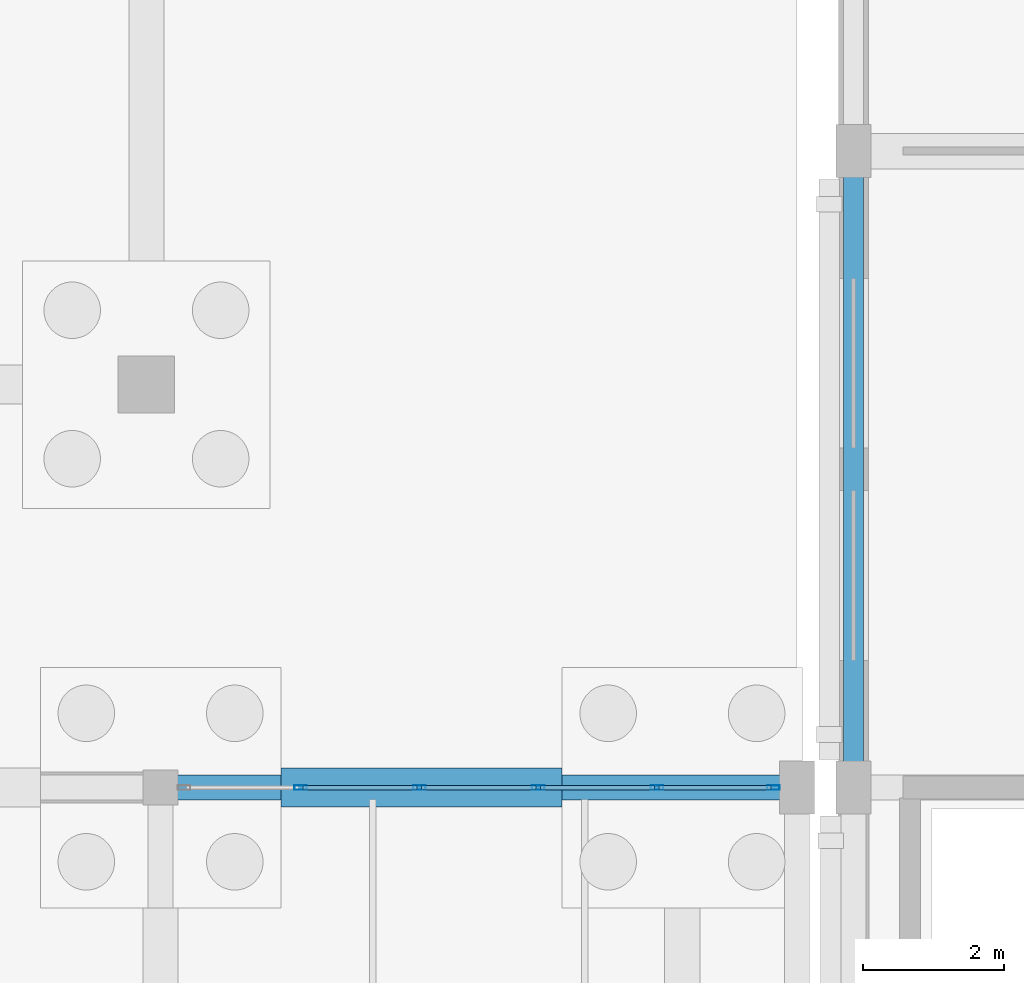
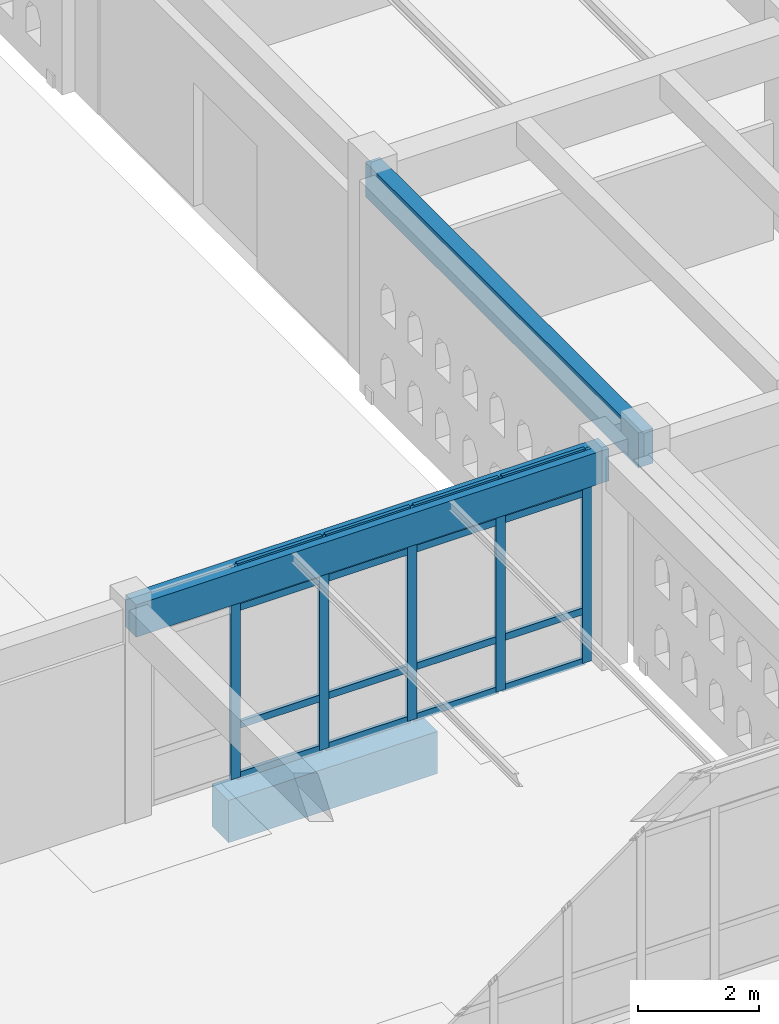
# One storey, part 35 of 186: 21 members, 3 beams, 1 element without a shape of its own.
"""IFC4 building model written with IfcOpenShell, lengths in metres."""

import ifcopenshell
import ifcopenshell.guid

model = None  # the IFC model being written
_history = None  # IfcOwnerHistory: only IFC2X3 demands one
_inside = {}  # id of a spatial element -> (the spatial element, [elements in it])
_under = {}  # id of a project, library or spatial element -> (it, [spatial elements below it])
_declared = {}  # id of a project -> (the project, [libraries it declares])
_typed = {}  # id of a type object -> (the type object, [elements of that type])
_made_of = {}  # id of a material, layer set ... -> (it, [elements and type objects made of it])


def new_model(schema):
    """Start an empty IFC model of exactly this schema.

    Asked for "IFC4X3", IfcOpenShell would pick the latest addendum, in which some entities
    have other attributes; the version numbers below select the first issue.
    IFC2X3 requires an IfcOwnerHistory on every rooted entity: one is made here for all.
    """
    global model, _history
    if schema == "IFC4X3":
        model = ifcopenshell.file(schema_version=(4, 3, 0, 0))
    else:
        model = ifcopenshell.file(schema=schema)
    _inside.clear()
    _under.clear()
    _declared.clear()
    _typed.clear()
    _made_of.clear()
    _history = None
    if model.schema == "IFC2X3":
        org = make("IfcOrganization", Name="unknown")
        user = make(
            "IfcPersonAndOrganization",
            ThePerson=make("IfcPerson", FamilyName="unknown"),
            TheOrganization=org,
        )
        app = make(
            "IfcApplication",
            ApplicationDeveloper=org,
            Version="unknown",
            ApplicationFullName="unknown",
            ApplicationIdentifier="unknown",
        )
        _history = make(
            "IfcOwnerHistory",
            OwningUser=user,
            OwningApplication=app,
            ChangeAction="ADDED",
            CreationDate=0,
        )
    return model


def make(cls, **values):
    """One entity of the class cls with the attributes given. An attribute that is None is left unset."""
    return model.create_entity(
        cls, **{name: value for name, value in values.items() if value is not None}
    )


def rooted(cls, **values):
    """An entity with a GlobalId (a new one), such as an element, a storey or a relation."""
    return make(cls, GlobalId=ifcopenshell.guid.new(), OwnerHistory=_history, **values)


def si_unit(unit_type, name, prefix=None):
    """IfcSIUnit, for example si_unit("LENGTHUNIT", "METRE", prefix="MILLI")."""
    return make("IfcSIUnit", UnitType=unit_type, Prefix=prefix, Name=name)


def assignment(units):
    """IfcUnitAssignment: the units of a project."""
    return None if units is None else make("IfcUnitAssignment", Units=units)


def point(xyz):
    """IfcCartesianPoint."""
    return None if xyz is None else make("IfcCartesianPoint", Coordinates=xyz)


def direction(xyz):
    """IfcDirection."""
    return None if xyz is None else make("IfcDirection", DirectionRatios=xyz)


def frame(location, z_axis=None, x_axis=None):
    """IfcAxis2Placement3D, a coordinate frame: its origin and axes. An axis left out is left unset."""
    return make(
        "IfcAxis2Placement3D",
        Location=point(location),
        Axis=direction(z_axis),
        RefDirection=direction(x_axis),
    )


def frame_2d(location, x_axis=None):
    """IfcAxis2Placement2D, a coordinate frame in the plane: its origin and x axis."""
    return make(
        "IfcAxis2Placement2D", Location=point(location), RefDirection=direction(x_axis)
    )


def origin():
    """The frame at (0, 0, 0) with its axes left unset."""
    return frame((0.0, 0.0, 0.0))


def origin_2d():
    """The frame at (0, 0) in the plane with its x axis left unset."""
    return frame_2d((0.0, 0.0))


def place(relative_to, where):
    """IfcLocalPlacement: puts the frame where relative to a parent placement (None: the world)."""
    return make(
        "IfcLocalPlacement", PlacementRelTo=relative_to, RelativePlacement=where
    )


def context(
    kind, dimensions, precision=None, world=None, true_north=None, identifier=None
):
    """IfcGeometricRepresentationContext, for example the 3D "Model" context."""
    return make(
        "IfcGeometricRepresentationContext",
        ContextIdentifier=identifier,
        ContextType=kind,
        CoordinateSpaceDimension=dimensions,
        Precision=precision,
        WorldCoordinateSystem=world,
        TrueNorth=true_north,
    )


def subcontext(parent, identifier, kind, view, scale=None):
    """IfcGeometricRepresentationSubContext, for example "Body" below "Model"."""
    return make(
        "IfcGeometricRepresentationSubContext",
        ContextIdentifier=identifier,
        ContextType=kind,
        ParentContext=parent,
        TargetScale=scale,
        TargetView=view,
    )


def project(units=None, contexts=None):
    """IfcProject with its units and contexts."""
    return rooted(
        "IfcProject",
        Name="project",
        RepresentationContexts=contexts,
        UnitsInContext=assignment(units),
    )


def spatial(cls, under=None, at=None, **own):
    """A site, building, storey or space (cls), placed at a placement, below another one or the project."""
    s = rooted(cls, ObjectPlacement=at, **own)
    if under is not None:
        _under.setdefault(under.id(), (under, []))[1].append(s)
    return s


def profile(cls, at=None, kind="AREA", **sizes):
    """A parametric profile (cls). Its sizes go by their IFC names, for example OverallWidth=200.0."""
    return make(cls, ProfileType=kind, Position=at, **sizes)


def rectangle(**sizes):
    """IfcRectangleProfileDef."""
    return profile("IfcRectangleProfileDef", **sizes)


def hollow_rectangle(**sizes):
    """IfcRectangleHollowProfileDef."""
    return profile("IfcRectangleHollowProfileDef", **sizes)


def extrude(swept, where, along, depth):
    """IfcExtrudedAreaSolid: the profile swept, set in the frame where, extruded along a direction by depth."""
    return make(
        "IfcExtrudedAreaSolid",
        SweptArea=swept,
        Position=where,
        ExtrudedDirection=direction(along),
        Depth=depth,
    )


def shape(context_of_items, identifier, shape_type, items):
    """IfcShapeRepresentation: the items that make up one representation, for example the "Body"."""
    return make(
        "IfcShapeRepresentation",
        ContextOfItems=context_of_items,
        RepresentationIdentifier=identifier,
        RepresentationType=shape_type,
        Items=items,
    )


def material(Name=None, Category=None):
    """IfcMaterial."""
    return make("IfcMaterial", Name=Name, Category=Category)


def layer(
    of_material, thickness, ventilated=None, Name=None, Category=None, Priority=None
):
    """IfcMaterialLayer: one layer of a wall or slab, of a material (None: an air gap)."""
    return make(
        "IfcMaterialLayer",
        Material=of_material,
        LayerThickness=thickness,
        IsVentilated=ventilated,
        Name=Name,
        Category=Category,
        Priority=Priority,
    )


def layer_set(layers, Name=None):
    """IfcMaterialLayerSet."""
    return make("IfcMaterialLayerSet", MaterialLayers=layers, LayerSetName=Name)


def material_profile(
    of_material, cross_section, Name=None, Category=None, Priority=None
):
    """IfcMaterialProfile: a cross section and its material."""
    return make(
        "IfcMaterialProfile",
        Name=Name,
        Material=of_material,
        Profile=cross_section,
        Priority=Priority,
        Category=Category,
    )


def profile_set(profiles, Name=None, composite=None):
    """IfcMaterialProfileSet."""
    return make(
        "IfcMaterialProfileSet",
        Name=Name,
        MaterialProfiles=profiles,
        CompositeProfile=composite,
    )


def made_of(thing, what):
    """Note that an element or type object is made of a material, layer set ...; save() writes the relation."""
    if what is not None:
        _made_of.setdefault(what.id(), (what, []))[1].append(thing)
    return thing


def type_object(cls, material=None, **own):
    """A type object (cls), such as IfcWallType, which elements share."""
    return made_of(rooted(cls, **own), material)


def element(
    cls,
    number,
    at=None,
    inside=None,
    cuts=None,
    type_object=None,
    material=None,
    context=None,
    identifier="Body",
    shape_type=None,
    held_by="IfcProductDefinitionShape",
    body=None,
    shapes=None,
    **own,
):
    """One element of the class cls, such as IfcWall. Its Tag is "e" and its number.

    at: its placement. inside: the storey or other place that contains it. cuts: it is an
    opening in that element (IfcRelVoidsElement). A single representation is given by context,
    identifier, shape_type and body (its items); several are given by shapes. held_by: the class
    of the entity that holds the representations. save() writes the other relations.
    """
    e = rooted(cls, Tag="e%d" % number, ObjectPlacement=at, **own)
    if body is not None:
        shapes = [shape(context, identifier, shape_type, body)]
    if shapes is not None:
        e.Representation = make(held_by, Representations=shapes)
    if inside is not None:
        _inside.setdefault(inside.id(), (inside, []))[1].append(e)
    if cuts is not None:
        rooted(
            "IfcRelVoidsElement", RelatingBuildingElement=cuts, RelatedOpeningElement=e
        )
    if type_object is not None:
        _typed.setdefault(type_object.id(), (type_object, []))[1].append(e)
    return made_of(e, material)


def aggregate(whole, parts):
    """IfcRelAggregates: a whole, such as a stair, and the parts it consists of."""
    return rooted("IfcRelAggregates", RelatingObject=whole, RelatedObjects=parts)


def save(model, path):
    """Write the relations noted so far, then the file.

    IfcRelAggregates (storeys below a building ...), IfcRelContainedInSpatialStructure (elements
    in a storey), IfcRelDefinesByType, IfcRelAssociatesMaterial and IfcRelDeclares: one each for
    every whole, place, type object, material and project.
    """
    for whole, parts in _under.values():
        aggregate(whole, parts)
    for where, things in _inside.values():
        rooted(
            "IfcRelContainedInSpatialStructure",
            RelatedElements=things,
            RelatingStructure=where,
        )
    for kind, things in _typed.values():
        rooted("IfcRelDefinesByType", RelatedObjects=things, RelatingType=kind)
    for what, things in _made_of.values():
        rooted("IfcRelAssociatesMaterial", RelatedObjects=things, RelatingMaterial=what)
    for by, libraries in _declared.values():
        rooted("IfcRelDeclares", RelatingContext=by, RelatedDefinitions=libraries)
    model.write(path)


model = new_model("IFC4")

# Units and contexts
model_context = context("Model", 3, precision=1e-05, world=origin(), true_north=direction((0.0, 1.0)))
body_context = subcontext(model_context, "Body", "Model", "MODEL_VIEW")
ifc_project = project(units=[si_unit("LENGTHUNIT", "METRE"), si_unit("AREAUNIT", "SQUARE_METRE"), si_unit("VOLUMEUNIT", "CUBIC_METRE"), si_unit("PLANEANGLEUNIT", "RADIAN"), si_unit("MASSUNIT", "GRAM", prefix="KILO")], contexts=[model_context])

# Site, building, storey
site_placement = place(None, origin())
site = spatial("IfcSite", under=ifc_project, at=site_placement, CompositionType="ELEMENT")
building_placement = place(site_placement, origin())
building = spatial("IfcBuilding", under=site, at=building_placement, Name="Ornek Quay Market", CompositionType="ELEMENT")
storey_placement = place(building_placement, origin())
storey = spatial("IfcBuildingStorey", under=building, at=storey_placement, Name="L00", CompositionType="ELEMENT", Elevation=0.0)

# Beams
ifc_material_1 = material(Name="Concrete C35/45", Category="concrete")
ifc_material_profile_1 = material_profile(ifc_material_1, rectangle(XDim=0.35009765625, YDim=0.64990234375, at=origin_2d()), Name="RC 350x650", Category="concrete")
ifc_profile_set_1 = profile_set([ifc_material_profile_1], Name="Concrete C35/45")
beam_type_1 = type_object("IfcBeamType", Name="BM-CONC-350x650", PredefinedType="BEAM", material=ifc_profile_set_1)
beam_1_placement = place(storey_placement, frame((45.0, 29.0, 3.945068359375), z_axis=(1.0, 0.0, 0.0), x_axis=(0.0, 1.0, 0.0)))
element("IfcBeam", 1, at=beam_1_placement, inside=storey, type_object=beam_type_1, Name="Primary beam B-CN1-069", PredefinedType="BEAM", context=body_context, shape_type="SweptSolid", body=[
    extrude(rectangle(XDim=0.35009765625, YDim=0.64990234375, at=origin_2d()), origin(), (0.0, 0.0, 1.0), 9.0),
])
ifc_material_profile_2 = material_profile(ifc_material_1, rectangle(XDim=0.550048828125, YDim=0.85009765625, at=origin_2d()), Name="RC 550x850", Category="concrete")
ifc_profile_set_2 = profile_set([ifc_material_profile_2], Name="Concrete C35/45")
beam_type_2 = type_object("IfcBeamType", Name="BM-GB-550x850", PredefinedType="BEAM", material=ifc_profile_set_2)
beam_2_placement = place(storey_placement, frame((46.699951171875, 29.0, -0.625), z_axis=(1.0, 0.0, 0.0), x_axis=(0.0, 1.0, 0.0)))
element("IfcBeam", 2, at=beam_2_placement, inside=storey, type_object=beam_type_2, Name="Ground tie beam GB-008", PredefinedType="BEAM", context=body_context, shape_type="SweptSolid", body=[
    extrude(rectangle(XDim=0.550048828125, YDim=0.85009765625, at=origin_2d()), origin(), (0.0, 0.0, 1.0), 3.97998046875),
])
ifc_material_profile_3 = material_profile(ifc_material_1, rectangle(XDim=0.280029296875, YDim=0.699951171875, at=origin_2d()), Name="RC 280x700", Category="concrete")
ifc_profile_set_3 = profile_set([ifc_material_profile_3], Name="Concrete C35/45")
beam_type_3 = type_object("IfcBeamType", Name="BM-SPN-280x700", PredefinedType="SPANDREL", material=ifc_profile_set_3)
beam_3_placement = place(storey_placement, frame((54.800048828125, 29.0, 3.889892578125), z_axis=(0.0, 1.0, 0.0), x_axis=(-1.0, 0.0, 0.0)))
element("IfcBeam", 3, at=beam_3_placement, inside=storey, type_object=beam_type_3, Name="Primary beam B-SP2-019", PredefinedType="SPANDREL", context=body_context, shape_type="SweptSolid", body=[
    extrude(rectangle(XDim=0.280029296875, YDim=0.699951171875, at=origin_2d()), origin(), (0.0, 0.0, 1.0), 9.0),
])

# Curtain wall, members
ifc_material_2 = material(Name="Anodised bronze aluminium and triple low-e glass", Category="aluminium")
ifc_layer = layer(ifc_material_2, 0.199951171875, Name="Anodised bronze aluminium and triple low-e glass", Category="aluminium")
ifc_layer_set = layer_set([ifc_layer], Name="Anodised bronze aluminium and triple low-e glass")
curtain_wall_type = type_object("IfcCurtainWallType", Name="CW-CONC-MOD1800", PredefinedType="USERDEFINED", material=ifc_layer_set)
curtain_wall_placement = place(storey_placement, origin())
curtain_wall = element("IfcCurtainWall", 4, at=curtain_wall_placement, inside=storey, type_object=curtain_wall_type, Name="Curtain wall CW-011", ObjectType="CURTAIN WALL", PredefinedType="USERDEFINED")
ifc_material_3 = material(Name="Anodised aluminium 6063-T6", Category="aluminium")
ifc_material_profile_4 = material_profile(ifc_material_3, hollow_rectangle(XDim=0.06494140625, YDim=0.179931640625, WallThickness=0.00439453125, at=origin_2d()), Name="CW-MUL-65x180", Category="aluminium")
ifc_profile_set_4 = profile_set([ifc_material_profile_4], Name="Anodised aluminium 6063-T6")
member_type_1 = type_object("IfcMemberType", Name="CW-MUL-65x180", PredefinedType="MULLION", material=ifc_profile_set_4)
member_1_placement = place(storey_placement, frame((46.97998046875, 29.0, 0.0), z_axis=(0.0, 0.0, 1.0), x_axis=(0.0, 1.0, 0.0)))
member_1 = element("IfcMember", 5, at=member_1_placement, type_object=member_type_1, Name="CW-011 mullion 2", PredefinedType="MULLION", context=body_context, shape_type="SweptSolid", body=[
    extrude(hollow_rectangle(XDim=0.06494140625, YDim=0.179931640625, WallThickness=0.00439453125, at=origin_2d()), origin(), (0.0, 0.0, 1.0), 4.27001953125),
])
member_2_placement = place(storey_placement, frame((48.659912109375, 29.0, 0.0), z_axis=(0.0, 0.0, 1.0), x_axis=(0.0, 1.0, 0.0)))
member_2 = element("IfcMember", 6, at=member_2_placement, type_object=member_type_1, Name="CW-011 mullion 3", PredefinedType="MULLION", context=body_context, shape_type="SweptSolid", body=[
    extrude(hollow_rectangle(XDim=0.06494140625, YDim=0.179931640625, WallThickness=0.00439453125, at=origin_2d()), origin(), (0.0, 0.0, 1.0), 4.27001953125),
])
member_3_placement = place(storey_placement, frame((50.340087890625, 29.0, 0.0), z_axis=(0.0, 0.0, 1.0), x_axis=(0.0, 1.0, 0.0)))
member_3 = element("IfcMember", 7, at=member_3_placement, type_object=member_type_1, Name="CW-011 mullion 4", PredefinedType="MULLION", context=body_context, shape_type="SweptSolid", body=[
    extrude(hollow_rectangle(XDim=0.06494140625, YDim=0.179931640625, WallThickness=0.00439453125, at=origin_2d()), origin(), (0.0, 0.0, 1.0), 4.27001953125),
])
member_4_placement = place(storey_placement, frame((52.02001953125, 29.0, 0.0), z_axis=(0.0, 0.0, 1.0), x_axis=(0.0, 1.0, 0.0)))
member_4 = element("IfcMember", 8, at=member_4_placement, type_object=member_type_1, Name="CW-011 mullion 5", PredefinedType="MULLION", context=body_context, shape_type="SweptSolid", body=[
    extrude(hollow_rectangle(XDim=0.06494140625, YDim=0.179931640625, WallThickness=0.00439453125, at=origin_2d()), origin(), (0.0, 0.0, 1.0), 4.27001953125),
])
member_5_placement = place(storey_placement, frame((53.66748046875, 29.0, 0.0), z_axis=(0.0, 0.0, 1.0), x_axis=(0.0, 1.0, 0.0)))
member_5 = element("IfcMember", 9, at=member_5_placement, type_object=member_type_1, Name="CW-011 mullion 6", PredefinedType="MULLION", context=body_context, shape_type="SweptSolid", body=[
    extrude(hollow_rectangle(XDim=0.06494140625, YDim=0.179931640625, WallThickness=0.00439453125, at=origin_2d()), origin(), (0.0, 0.0, 1.0), 4.27001953125),
])
ifc_material_profile_5 = material_profile(ifc_material_3, hollow_rectangle(XDim=0.06494140625, YDim=0.139892578125, WallThickness=0.00439453125, at=origin_2d()), Name="CW-TRN-65x140", Category="aluminium")
ifc_profile_set_5 = profile_set([ifc_material_profile_5], Name="Anodised aluminium 6063-T6")
member_type_2 = type_object("IfcMemberType", Name="CW-TRN-65x140", PredefinedType="USERDEFINED", material=ifc_profile_set_5)
member_6_placement = place(storey_placement, frame((47.012451171875, 29.0, 0.032470703125), z_axis=(1.0, 0.0, 0.0), x_axis=(0.0, 1.0, 0.0)))
member_6 = element("IfcMember", 10, at=member_6_placement, type_object=member_type_2, Name="CW-011 transom 2.1", ObjectType="TRANSOM", PredefinedType="USERDEFINED", context=body_context, shape_type="SweptSolid", body=[
    extrude(hollow_rectangle(XDim=0.06494140625, YDim=0.139892578125, WallThickness=0.00439453125, at=origin_2d()), origin(), (0.0, 0.0, 1.0), 1.614990234375),
])
member_7_placement = place(storey_placement, frame((47.012451171875, 29.0, 1.050048828125), z_axis=(1.0, 0.0, 0.0), x_axis=(0.0, 1.0, 0.0)))
member_7 = element("IfcMember", 11, at=member_7_placement, type_object=member_type_2, Name="CW-011 transom 2.2", ObjectType="TRANSOM", PredefinedType="USERDEFINED", context=body_context, shape_type="SweptSolid", body=[
    extrude(hollow_rectangle(XDim=0.06494140625, YDim=0.139892578125, WallThickness=0.00439453125, at=origin_2d()), origin(), (0.0, 0.0, 1.0), 1.614990234375),
])
member_8_placement = place(storey_placement, frame((47.012451171875, 29.0, 3.419921875), z_axis=(1.0, 0.0, 0.0), x_axis=(0.0, 1.0, 0.0)))
member_8 = element("IfcMember", 12, at=member_8_placement, type_object=member_type_2, Name="CW-011 transom 2.3", ObjectType="TRANSOM", PredefinedType="USERDEFINED", context=body_context, shape_type="SweptSolid", body=[
    extrude(hollow_rectangle(XDim=0.06494140625, YDim=0.139892578125, WallThickness=0.00439453125, at=origin_2d()), origin(), (0.0, 0.0, 1.0), 1.614990234375),
])
member_9_placement = place(storey_placement, frame((47.012451171875, 29.0, 4.237548828125), z_axis=(1.0, 0.0, 0.0), x_axis=(0.0, 1.0, 0.0)))
member_9 = element("IfcMember", 13, at=member_9_placement, type_object=member_type_2, Name="CW-011 transom 2.4", ObjectType="TRANSOM", PredefinedType="USERDEFINED", context=body_context, shape_type="SweptSolid", body=[
    extrude(hollow_rectangle(XDim=0.06494140625, YDim=0.139892578125, WallThickness=0.00439453125, at=origin_2d()), origin(), (0.0, 0.0, 1.0), 1.614990234375),
])
member_10_placement = place(storey_placement, frame((48.6923828125, 29.0, 0.032470703125), z_axis=(1.0, 0.0, 0.0), x_axis=(0.0, 1.0, 0.0)))
member_10 = element("IfcMember", 14, at=member_10_placement, type_object=member_type_2, Name="CW-011 transom 3.1", ObjectType="TRANSOM", PredefinedType="USERDEFINED", context=body_context, shape_type="SweptSolid", body=[
    extrude(hollow_rectangle(XDim=0.06494140625, YDim=0.139892578125, WallThickness=0.00439453125, at=origin_2d()), origin(), (0.0, 0.0, 1.0), 1.615234375),
])
member_11_placement = place(storey_placement, frame((48.6923828125, 29.0, 1.050048828125), z_axis=(1.0, 0.0, 0.0), x_axis=(0.0, 1.0, 0.0)))
member_11 = element("IfcMember", 15, at=member_11_placement, type_object=member_type_2, Name="CW-011 transom 3.2", ObjectType="TRANSOM", PredefinedType="USERDEFINED", context=body_context, shape_type="SweptSolid", body=[
    extrude(hollow_rectangle(XDim=0.06494140625, YDim=0.139892578125, WallThickness=0.00439453125, at=origin_2d()), origin(), (0.0, 0.0, 1.0), 1.615234375),
])
member_12_placement = place(storey_placement, frame((48.6923828125, 29.0, 3.419921875), z_axis=(1.0, 0.0, 0.0), x_axis=(0.0, 1.0, 0.0)))
member_12 = element("IfcMember", 16, at=member_12_placement, type_object=member_type_2, Name="CW-011 transom 3.3", ObjectType="TRANSOM", PredefinedType="USERDEFINED", context=body_context, shape_type="SweptSolid", body=[
    extrude(hollow_rectangle(XDim=0.06494140625, YDim=0.139892578125, WallThickness=0.00439453125, at=origin_2d()), origin(), (0.0, 0.0, 1.0), 1.615234375),
])
member_13_placement = place(storey_placement, frame((48.6923828125, 29.0, 4.237548828125), z_axis=(1.0, 0.0, 0.0), x_axis=(0.0, 1.0, 0.0)))
member_13 = element("IfcMember", 17, at=member_13_placement, type_object=member_type_2, Name="CW-011 transom 3.4", ObjectType="TRANSOM", PredefinedType="USERDEFINED", context=body_context, shape_type="SweptSolid", body=[
    extrude(hollow_rectangle(XDim=0.06494140625, YDim=0.139892578125, WallThickness=0.00439453125, at=origin_2d()), origin(), (0.0, 0.0, 1.0), 1.615234375),
])
member_14_placement = place(storey_placement, frame((50.37255859375, 29.0, 0.032470703125), z_axis=(1.0, 0.0, 0.0), x_axis=(0.0, 1.0, 0.0)))
member_14 = element("IfcMember", 18, at=member_14_placement, type_object=member_type_2, Name="CW-011 transom 4.1", ObjectType="TRANSOM", PredefinedType="USERDEFINED", context=body_context, shape_type="SweptSolid", body=[
    extrude(hollow_rectangle(XDim=0.06494140625, YDim=0.139892578125, WallThickness=0.00439453125, at=origin_2d()), origin(), (0.0, 0.0, 1.0), 1.614990234375),
])
member_15_placement = place(storey_placement, frame((50.37255859375, 29.0, 1.050048828125), z_axis=(1.0, 0.0, 0.0), x_axis=(0.0, 1.0, 0.0)))
member_15 = element("IfcMember", 19, at=member_15_placement, type_object=member_type_2, Name="CW-011 transom 4.2", ObjectType="TRANSOM", PredefinedType="USERDEFINED", context=body_context, shape_type="SweptSolid", body=[
    extrude(hollow_rectangle(XDim=0.06494140625, YDim=0.139892578125, WallThickness=0.00439453125, at=origin_2d()), origin(), (0.0, 0.0, 1.0), 1.614990234375),
])
member_16_placement = place(storey_placement, frame((50.37255859375, 29.0, 3.419921875), z_axis=(1.0, 0.0, 0.0), x_axis=(0.0, 1.0, 0.0)))
member_16 = element("IfcMember", 20, at=member_16_placement, type_object=member_type_2, Name="CW-011 transom 4.3", ObjectType="TRANSOM", PredefinedType="USERDEFINED", context=body_context, shape_type="SweptSolid", body=[
    extrude(hollow_rectangle(XDim=0.06494140625, YDim=0.139892578125, WallThickness=0.00439453125, at=origin_2d()), origin(), (0.0, 0.0, 1.0), 1.614990234375),
])
member_17_placement = place(storey_placement, frame((50.37255859375, 29.0, 4.237548828125), z_axis=(1.0, 0.0, 0.0), x_axis=(0.0, 1.0, 0.0)))
member_17 = element("IfcMember", 21, at=member_17_placement, type_object=member_type_2, Name="CW-011 transom 4.4", ObjectType="TRANSOM", PredefinedType="USERDEFINED", context=body_context, shape_type="SweptSolid", body=[
    extrude(hollow_rectangle(XDim=0.06494140625, YDim=0.139892578125, WallThickness=0.00439453125, at=origin_2d()), origin(), (0.0, 0.0, 1.0), 1.614990234375),
])
member_18_placement = place(storey_placement, frame((52.052490234375, 29.0, 0.032470703125), z_axis=(1.0, 0.0, 0.0), x_axis=(0.0, 1.0, 0.0)))
member_18 = element("IfcMember", 22, at=member_18_placement, type_object=member_type_2, Name="CW-011 transom 5.1", ObjectType="TRANSOM", PredefinedType="USERDEFINED", context=body_context, shape_type="SweptSolid", body=[
    extrude(hollow_rectangle(XDim=0.06494140625, YDim=0.139892578125, WallThickness=0.00439453125, at=origin_2d()), origin(), (0.0, 0.0, 1.0), 1.58251953125),
])
member_19_placement = place(storey_placement, frame((52.052490234375, 29.0, 1.050048828125), z_axis=(1.0, 0.0, 0.0), x_axis=(0.0, 1.0, 0.0)))
member_19 = element("IfcMember", 23, at=member_19_placement, type_object=member_type_2, Name="CW-011 transom 5.2", ObjectType="TRANSOM", PredefinedType="USERDEFINED", context=body_context, shape_type="SweptSolid", body=[
    extrude(hollow_rectangle(XDim=0.06494140625, YDim=0.139892578125, WallThickness=0.00439453125, at=origin_2d()), origin(), (0.0, 0.0, 1.0), 1.58251953125),
])
member_20_placement = place(storey_placement, frame((52.052490234375, 29.0, 3.419921875), z_axis=(1.0, 0.0, 0.0), x_axis=(0.0, 1.0, 0.0)))
member_20 = element("IfcMember", 24, at=member_20_placement, type_object=member_type_2, Name="CW-011 transom 5.3", ObjectType="TRANSOM", PredefinedType="USERDEFINED", context=body_context, shape_type="SweptSolid", body=[
    extrude(hollow_rectangle(XDim=0.06494140625, YDim=0.139892578125, WallThickness=0.00439453125, at=origin_2d()), origin(), (0.0, 0.0, 1.0), 1.58251953125),
])
member_21_placement = place(storey_placement, frame((52.052490234375, 29.0, 4.237548828125), z_axis=(1.0, 0.0, 0.0), x_axis=(0.0, 1.0, 0.0)))
member_21 = element("IfcMember", 25, at=member_21_placement, type_object=member_type_2, Name="CW-011 transom 5.4", ObjectType="TRANSOM", PredefinedType="USERDEFINED", context=body_context, shape_type="SweptSolid", body=[
    extrude(hollow_rectangle(XDim=0.06494140625, YDim=0.139892578125, WallThickness=0.00439453125, at=origin_2d()), origin(), (0.0, 0.0, 1.0), 1.58251953125),
])
aggregate(curtain_wall, [member_1, member_2, member_3, member_4, member_5, member_6, member_7, member_8, member_9, member_10, member_11, member_12, member_13, member_14, member_15, member_16, member_17, member_18, member_19, member_20, member_21])

save(model, "model.ifc")
